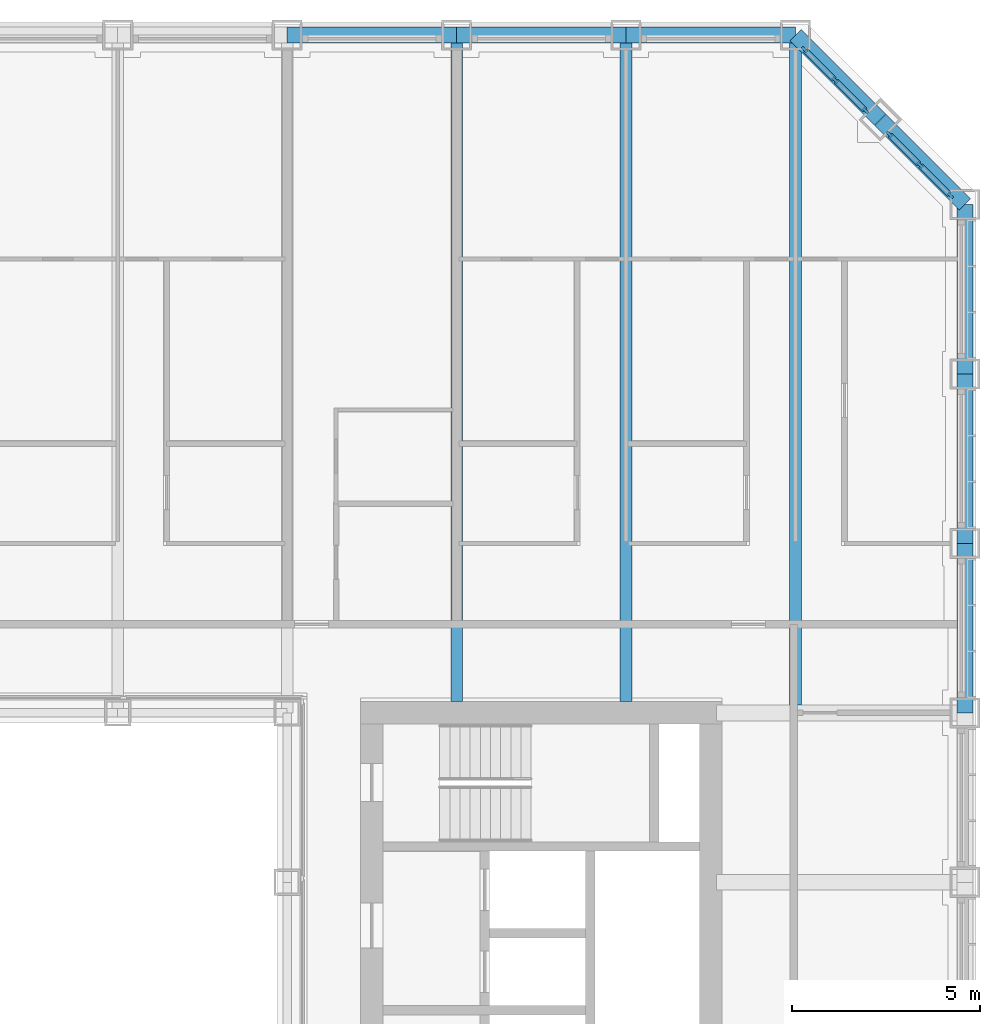
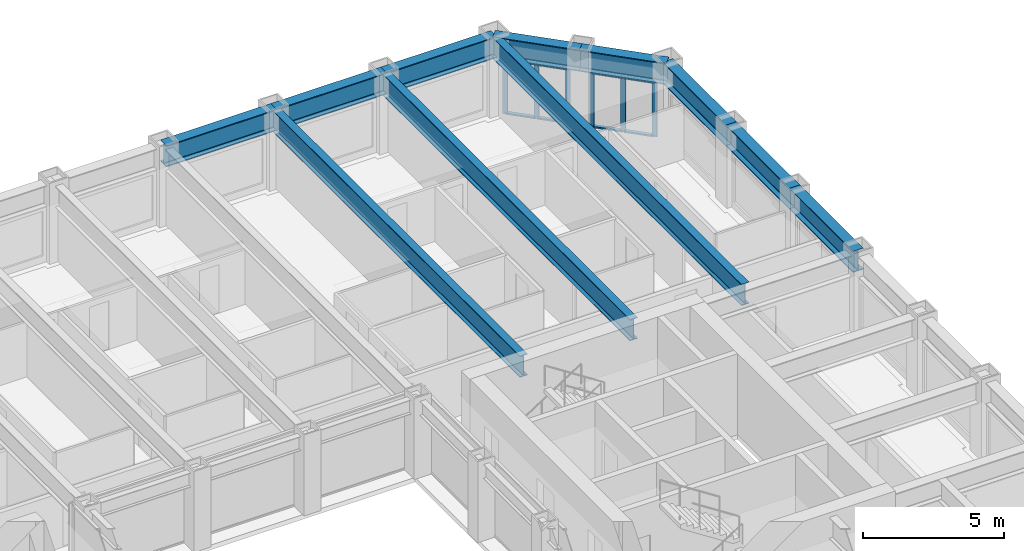
# One storey, part 7 of 20: 14 members, 11 beams, 2 elements without a shape of their own.
"""IFC4 building model written with IfcOpenShell, lengths in metres."""

from ifc_helpers import new_model, si_unit, direction, frame, origin, origin_2d, place, context, subcontext, project, spatial, rectangle, i_section, extrude, material, material_profile, profile_set, type_object, element, aggregate, save


model = new_model("IFC4")

# Units and contexts
model_context = context("Model", 3, precision=1e-05, world=origin(), true_north=direction((0.0, 1.0)))
body_context = subcontext(model_context, "Body", "Model", "MODEL_VIEW")
ifc_project = project(units=[si_unit("LENGTHUNIT", "METRE"), si_unit("AREAUNIT", "SQUARE_METRE"), si_unit("VOLUMEUNIT", "CUBIC_METRE"), si_unit("PLANEANGLEUNIT", "RADIAN"), si_unit("MASSUNIT", "GRAM", prefix="KILO")], contexts=[model_context])

# Site, building, storey
site_placement = place(None, origin())
site = spatial("IfcSite", under=ifc_project, at=site_placement, CompositionType="ELEMENT")
building_placement = place(site_placement, origin())
building = spatial("IfcBuilding", under=site, at=building_placement, Name="Msasa Ring Tower", CompositionType="ELEMENT")
storey_placement = place(building_placement, frame((0.0, 0.0, 61.5)))
storey = spatial("IfcBuildingStorey", under=building, at=storey_placement, Name="L15", CompositionType="ELEMENT", Elevation=61.5)

# Curtain wall, members
ifc_material_1 = material(Name="Aluminium curtain wall with clear glass", Category="aluminium")
curtain_wall_type = type_object("IfcCurtainWallType", Name="CW-C CHAMFER CORNER CURTAIN WALL", PredefinedType="NOTDEFINED", material=ifc_material_1)
curtain_wall_1_placement = place(storey_placement, origin())
curtain_wall_1 = element("IfcCurtainWall", 1, at=curtain_wall_1_placement, inside=storey, type_object=curtain_wall_type, Name="Chamfer corner curtain wall NE L15", PredefinedType="NOTDEFINED")
ifc_material_2 = material(Name="Aluminium mullion", Category="aluminium")
ifc_material_profile_1 = material_profile(ifc_material_2, rectangle(XDim=0.06494140625, YDim=0.179931640625, at=origin_2d()), Name="AL 65x180")
ifc_profile_set_1 = profile_set([ifc_material_profile_1], Name="Aluminium mullion")
member_type_1 = type_object("IfcMemberType", Name="CW-C MULLION 65x180", PredefinedType="MULLION", material=ifc_profile_set_1)
member_1_placement = place(storey_placement, frame((22.119873046875, 22.73876953125, 0.0), z_axis=(0.0, 0.0, 1.0), x_axis=(-0.707106781187, -0.707106781187, 0.0)))
member_1 = element("IfcMember", 2, at=member_1_placement, type_object=member_type_1, Name="CW-C mullion 1", PredefinedType="MULLION", context=body_context, shape_type="SweptSolid", body=[
    extrude(rectangle(XDim=0.06494140625, YDim=0.179931640625, at=origin_2d()), origin(), (0.0, 0.0, 1.0), 2.37890625),
])
member_2_placement = place(storey_placement, frame((21.30419921875, 23.55419921875, 0.0), z_axis=(0.0, 0.0, 1.0), x_axis=(-0.707106781187, -0.707106781187, 0.0)))
member_2 = element("IfcMember", 3, at=member_2_placement, type_object=member_type_1, Name="CW-C mullion 2", PredefinedType="MULLION", context=body_context, shape_type="SweptSolid", body=[
    extrude(rectangle(XDim=0.06494140625, YDim=0.179931640625, at=origin_2d()), origin(), (0.0, 0.0, 1.0), 2.37890625),
])
member_3_placement = place(storey_placement, frame((20.48876953125, 24.369873046875, 0.0), z_axis=(0.0, 0.0, 1.0), x_axis=(-0.707106781187, -0.707106781187, 0.0)))
member_3 = element("IfcMember", 4, at=member_3_placement, type_object=member_type_1, Name="CW-C mullion 3", PredefinedType="MULLION", context=body_context, shape_type="SweptSolid", body=[
    extrude(rectangle(XDim=0.06494140625, YDim=0.179931640625, at=origin_2d()), origin(), (0.0, 0.0, 1.0), 2.37890625),
])

curtain_wall_2_placement = place(storey_placement, origin())
curtain_wall_2 = element("IfcCurtainWall", 5, at=curtain_wall_2_placement, inside=storey, type_object=curtain_wall_type, Name="Chamfer corner curtain wall NE L15", PredefinedType="NOTDEFINED")
member_4_placement = place(storey_placement, frame((24.369873046875, 20.48876953125, 0.0), z_axis=(0.0, 0.0, 1.0), x_axis=(-0.707106781187, -0.707106781187, 0.0)))
member_4 = element("IfcMember", 6, at=member_4_placement, type_object=member_type_1, Name="CW-C mullion 1", PredefinedType="MULLION", context=body_context, shape_type="SweptSolid", body=[
    extrude(rectangle(XDim=0.06494140625, YDim=0.179931640625, at=origin_2d()), origin(), (0.0, 0.0, 1.0), 2.37890625),
])
member_5_placement = place(storey_placement, frame((23.55419921875, 21.30419921875, 0.0), z_axis=(0.0, 0.0, 1.0), x_axis=(-0.707106781187, -0.707106781187, 0.0)))
member_5 = element("IfcMember", 7, at=member_5_placement, type_object=member_type_1, Name="CW-C mullion 2", PredefinedType="MULLION", context=body_context, shape_type="SweptSolid", body=[
    extrude(rectangle(XDim=0.06494140625, YDim=0.179931640625, at=origin_2d()), origin(), (0.0, 0.0, 1.0), 2.37890625),
])
member_6_placement = place(storey_placement, frame((22.73876953125, 22.119873046875, 0.0), z_axis=(0.0, 0.0, 1.0), x_axis=(-0.707106781187, -0.707106781187, 0.0)))
member_6 = element("IfcMember", 8, at=member_6_placement, type_object=member_type_1, Name="CW-C mullion 3", PredefinedType="MULLION", context=body_context, shape_type="SweptSolid", body=[
    extrude(rectangle(XDim=0.06494140625, YDim=0.179931640625, at=origin_2d()), origin(), (0.0, 0.0, 1.0), 2.37890625),
])

# Member
ifc_material_3 = material(Name="Aluminium transom", Category="aluminium")
ifc_material_profile_2 = material_profile(ifc_material_3, rectangle(XDim=0.139892578125, YDim=0.06494140625, at=origin_2d()), Name="AL 65x140")
ifc_profile_set_2 = profile_set([ifc_material_profile_2], Name="Aluminium transom")
member_type_2 = type_object("IfcMemberType", Name="CW-C TRANSOM 65x140", PredefinedType="USERDEFINED", material=ifc_profile_set_2)
member_7_placement = place(storey_placement, frame((22.096923828125, 22.76171875, 0.032470703125), z_axis=(-0.707106781187, 0.707106781187, 0.0), x_axis=(-0.707106781187, -0.707106781187, 0.0)))
member_7 = element("IfcMember", 9, at=member_7_placement, type_object=member_type_2, Name="CW-C transom 1.1", ObjectType="TRANSOM", PredefinedType="USERDEFINED", context=body_context, shape_type="SweptSolid", body=[
    extrude(rectangle(XDim=0.139892578125, YDim=0.06494140625, at=origin_2d()), origin(), (0.0, 0.0, 1.0), 1.08837890625),
])

member_8_placement = place(storey_placement, frame((22.096923828125, 22.76171875, 2.346435546875), z_axis=(-0.707106781187, 0.707106781187, 0.0), x_axis=(-0.707106781187, -0.707106781187, 0.0)))
member_8 = element("IfcMember", 10, at=member_8_placement, type_object=member_type_2, Name="CW-C transom 1.2", ObjectType="TRANSOM", PredefinedType="USERDEFINED", context=body_context, shape_type="SweptSolid", body=[
    extrude(rectangle(XDim=0.139892578125, YDim=0.06494140625, at=origin_2d()), origin(), (0.0, 0.0, 1.0), 1.08837890625),
])

member_9_placement = place(storey_placement, frame((21.28125, 23.577392578125, 0.032470703125), z_axis=(-0.707106781187, 0.707106781187, 0.0), x_axis=(-0.707106781187, -0.707106781187, 0.0)))
member_9 = element("IfcMember", 11, at=member_9_placement, type_object=member_type_2, Name="CW-C transom 2.1", ObjectType="TRANSOM", PredefinedType="USERDEFINED", context=body_context, shape_type="SweptSolid", body=[
    extrude(rectangle(XDim=0.139892578125, YDim=0.06494140625, at=origin_2d()), origin(), (0.0, 0.0, 1.0), 1.08837890625),
])

member_10_placement = place(storey_placement, frame((21.28125, 23.577392578125, 2.346435546875), z_axis=(-0.707106781187, 0.707106781187, 0.0), x_axis=(-0.707106781187, -0.707106781187, 0.0)))
member_10 = element("IfcMember", 12, at=member_10_placement, type_object=member_type_2, Name="CW-C transom 2.2", ObjectType="TRANSOM", PredefinedType="USERDEFINED", context=body_context, shape_type="SweptSolid", body=[
    extrude(rectangle(XDim=0.139892578125, YDim=0.06494140625, at=origin_2d()), origin(), (0.0, 0.0, 1.0), 1.08837890625),
])

aggregate(curtain_wall_1, [member_1, member_2, member_3, member_7, member_8, member_9, member_10])

member_11_placement = place(storey_placement, frame((24.346923828125, 20.51171875, 0.032470703125), z_axis=(-0.707106781187, 0.707106781187, 0.0), x_axis=(-0.707106781187, -0.707106781187, 0.0)))
member_11 = element("IfcMember", 13, at=member_11_placement, type_object=member_type_2, Name="CW-C transom 1.1", ObjectType="TRANSOM", PredefinedType="USERDEFINED", context=body_context, shape_type="SweptSolid", body=[
    extrude(rectangle(XDim=0.139892578125, YDim=0.06494140625, at=origin_2d()), origin(), (0.0, 0.0, 1.0), 1.08837890625),
])

member_12_placement = place(storey_placement, frame((24.346923828125, 20.51171875, 2.346435546875), z_axis=(-0.707106781187, 0.707106781187, 0.0), x_axis=(-0.707106781187, -0.707106781187, 0.0)))
member_12 = element("IfcMember", 14, at=member_12_placement, type_object=member_type_2, Name="CW-C transom 1.2", ObjectType="TRANSOM", PredefinedType="USERDEFINED", context=body_context, shape_type="SweptSolid", body=[
    extrude(rectangle(XDim=0.139892578125, YDim=0.06494140625, at=origin_2d()), origin(), (0.0, 0.0, 1.0), 1.08837890625),
])

member_13_placement = place(storey_placement, frame((23.53125, 21.327392578125, 0.032470703125), z_axis=(-0.707106781187, 0.707106781187, 0.0), x_axis=(-0.707106781187, -0.707106781187, 0.0)))
member_13 = element("IfcMember", 15, at=member_13_placement, type_object=member_type_2, Name="CW-C transom 2.1", ObjectType="TRANSOM", PredefinedType="USERDEFINED", context=body_context, shape_type="SweptSolid", body=[
    extrude(rectangle(XDim=0.139892578125, YDim=0.06494140625, at=origin_2d()), origin(), (0.0, 0.0, 1.0), 1.08837890625),
])

member_14_placement = place(storey_placement, frame((23.53125, 21.327392578125, 2.346435546875), z_axis=(-0.707106781187, 0.707106781187, 0.0), x_axis=(-0.707106781187, -0.707106781187, 0.0)))
member_14 = element("IfcMember", 16, at=member_14_placement, type_object=member_type_2, Name="CW-C transom 2.2", ObjectType="TRANSOM", PredefinedType="USERDEFINED", context=body_context, shape_type="SweptSolid", body=[
    extrude(rectangle(XDim=0.139892578125, YDim=0.06494140625, at=origin_2d()), origin(), (0.0, 0.0, 1.0), 1.08837890625),
])

aggregate(curtain_wall_2, [member_4, member_5, member_6, member_11, member_12, member_13, member_14])

# Beams
ifc_material_4 = material(Name="Steel S355", Category="steel")
ifc_material_profile_3 = material_profile(ifc_material_4, i_section(OverallWidth=0.3076171875, OverallDepth=0.926513671875, WebThickness=0.01953125, FlangeThickness=0.031982421875, FilletRadius=0.01904296875, at=origin_2d()), Name="UB 914x305x289")
ifc_profile_set_3 = profile_set([ifc_material_profile_3], Name="Steel S355")
beam_type_1 = type_object("IfcBeamType", Name="FB3 UB 914x305x289", PredefinedType="BEAM", material=ifc_profile_set_3)
for number, where, z_axis, x_axis, name in (
    (17, (11.25, 24.75, 2.836669921875), (0.0, -1.0, 0.0), (1.0, 0.0, 0.0), "Floor beam N+11.25 under L16"),
    (18, (15.75, 24.75, 2.836669921875), (0.0, -1.0, 0.0), (1.0, 0.0, 0.0), "Floor beam N+15.75 under L16"),
):
    element("IfcBeam", number, at=place(storey_placement, frame(where, z_axis=z_axis, x_axis=x_axis)), inside=storey, type_object=beam_type_1, Name=name, PredefinedType="BEAM", context=body_context, shape_type="SweptSolid", body=[
        extrude(i_section(OverallWidth=0.3076171875, OverallDepth=0.926513671875, WebThickness=0.01953125, FlangeThickness=0.031982421875, FilletRadius=0.01904296875, at=origin_2d()), origin(), (0.0, 0.0, 1.0), 17.699951171875),
    ])
beam_placement = place(storey_placement, frame((20.25, 24.75, 2.836669921875), z_axis=(0.0, -1.0, 0.0), x_axis=(1.0, 0.0, 0.0)))
element("IfcBeam", 19, at=beam_placement, inside=storey, type_object=beam_type_1, Name="Floor beam N+20.25 under L16", PredefinedType="BEAM", context=body_context, shape_type="SweptSolid", body=[
    extrude(i_section(OverallWidth=0.3076171875, OverallDepth=0.926513671875, WebThickness=0.01953125, FlangeThickness=0.031982421875, FilletRadius=0.01904296875, at=origin_2d()), origin(), (0.0, 0.0, 1.0), 17.789794921875),
])
ifc_material_5 = material(Name="Steel S355", Category="steel")
ifc_material_profile_4 = material_profile(ifc_material_5, i_section(OverallWidth=0.42041015625, OverallDepth=0.9208984375, WebThickness=0.021484375, FlangeThickness=0.03662109375, FilletRadius=0.024169921875, at=origin_2d()), Name="UB 914x419x388")
ifc_profile_set_4 = profile_set([ifc_material_profile_4], Name="Steel S355")
beam_type_2 = type_object("IfcBeamType", Name="SB1 UB 914x419x388", PredefinedType="SPANDREL", material=ifc_profile_set_4)
for number, where, z_axis, x_axis, name in (
    (20, (24.75, 6.75, 2.839599609375), (0.0, 1.0, 0.0), (-1.0, 0.0, 0.0), "Spandrel E+6.75 to E+11.25 under L16"),
    (21, (24.75, 11.25, 2.839599609375), (0.0, 1.0, 0.0), (-1.0, 0.0, 0.0), "Spandrel E+11.25 to E+15.75 under L16"),
    (22, (24.75, 15.75, 2.839599609375), (0.0, 1.0, 0.0), (-1.0, 0.0, 0.0), "Spandrel E+15.75 to E+20.25 under L16"),
):
    element("IfcBeam", number, at=place(storey_placement, frame(where, z_axis=z_axis, x_axis=x_axis)), inside=storey, type_object=beam_type_2, Name=name, PredefinedType="SPANDREL", context=body_context, shape_type="SweptSolid", body=[
        extrude(i_section(OverallWidth=0.42041015625, OverallDepth=0.9208984375, WebThickness=0.021484375, FlangeThickness=0.03662109375, FilletRadius=0.024169921875, at=origin_2d()), origin(), (0.0, 0.0, 1.0), 4.5),
    ])
for number, where, z_axis, x_axis, name in (
    (23, (24.75, 20.25, 2.839599609375), (-0.707106781187, 0.707106781187, 0.0), (-0.707106781187, -0.707106781187, 0.0), "Spandrel E+20.25 to NE under L16"),
    (24, (22.5, 22.5, 2.839599609375), (-0.707106781187, 0.707106781187, 0.0), (-0.707106781187, -0.707106781187, 0.0), "Spandrel NE to N+20.25 under L16"),
):
    element("IfcBeam", number, at=place(storey_placement, frame(where, z_axis=z_axis, x_axis=x_axis)), inside=storey, type_object=beam_type_2, Name=name, PredefinedType="SPANDREL", context=body_context, shape_type="SweptSolid", body=[
        extrude(i_section(OverallWidth=0.42041015625, OverallDepth=0.9208984375, WebThickness=0.021484375, FlangeThickness=0.03662109375, FilletRadius=0.024169921875, at=origin_2d()), origin(), (0.0, 0.0, 1.0), 3.181884765625),
    ])
for number, where, z_axis, x_axis, name in (
    (25, (20.25, 24.75, 2.839599609375), (-1.0, 0.0, 0.0), (0.0, -1.0, 0.0), "Spandrel N+20.25 to N+15.75 under L16"),
    (26, (15.75, 24.75, 2.839599609375), (-1.0, 0.0, 0.0), (0.0, -1.0, 0.0), "Spandrel N+15.75 to N+11.25 under L16"),
    (27, (11.25, 24.75, 2.839599609375), (-1.0, 0.0, 0.0), (0.0, -1.0, 0.0), "Spandrel N+11.25 to N+6.75 under L16"),
):
    element("IfcBeam", number, at=place(storey_placement, frame(where, z_axis=z_axis, x_axis=x_axis)), inside=storey, type_object=beam_type_2, Name=name, PredefinedType="SPANDREL", context=body_context, shape_type="SweptSolid", body=[
        extrude(i_section(OverallWidth=0.42041015625, OverallDepth=0.9208984375, WebThickness=0.021484375, FlangeThickness=0.03662109375, FilletRadius=0.024169921875, at=origin_2d()), origin(), (0.0, 0.0, 1.0), 4.5),
    ])

save(model, "model.ifc")
